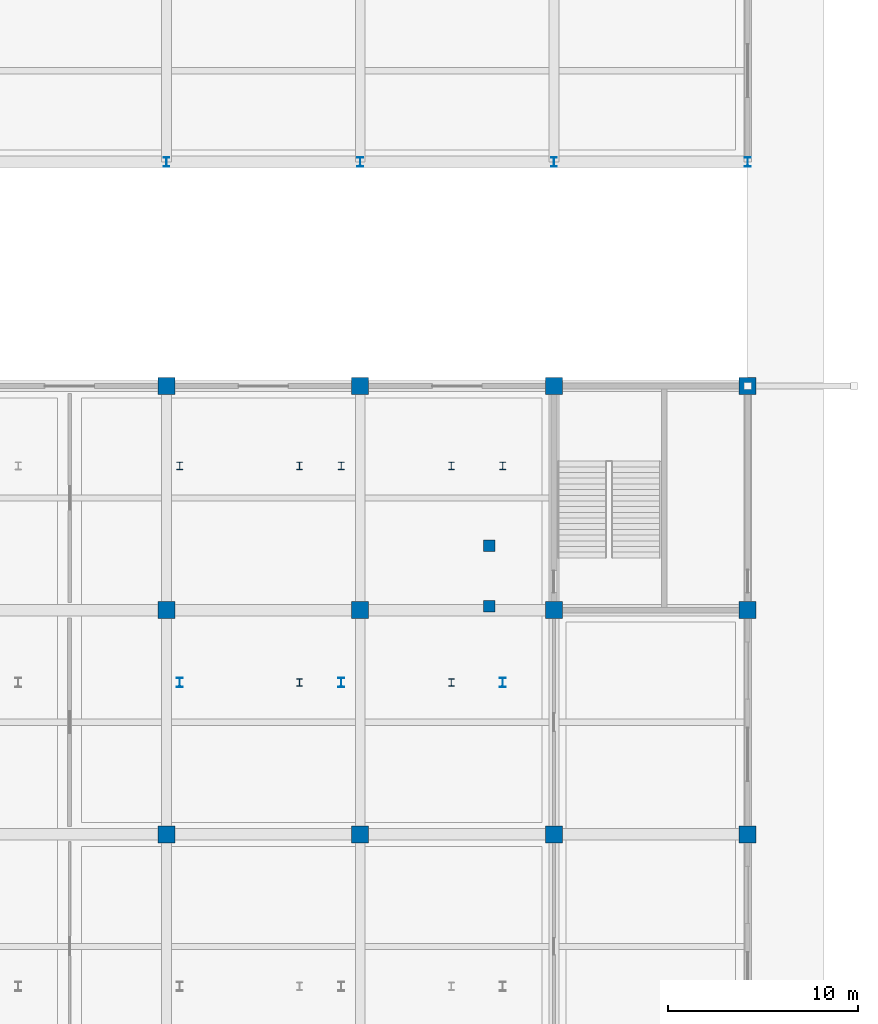
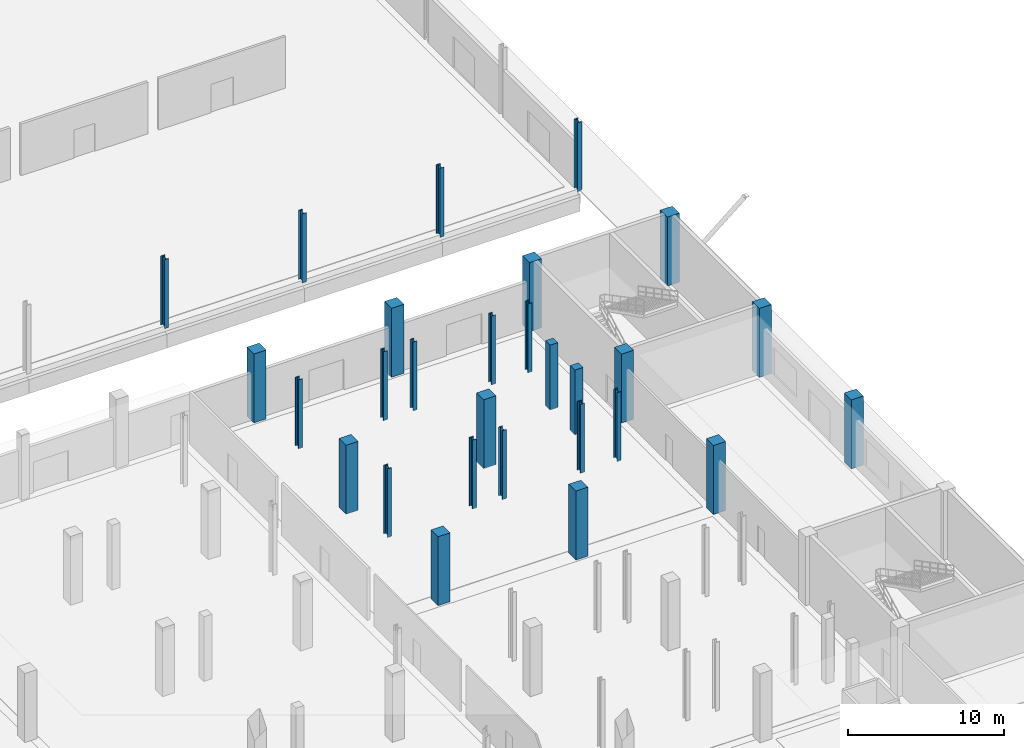
# One storey, part 18 of 124: 28 columns.
"""IFC4 building model written with IfcOpenShell, lengths in metres."""

import ifcopenshell
import ifcopenshell.guid

model = None  # the IFC model being written
_history = None  # IfcOwnerHistory: only IFC2X3 demands one
_inside = {}  # id of a spatial element -> (the spatial element, [elements in it])
_under = {}  # id of a project, library or spatial element -> (it, [spatial elements below it])
_declared = {}  # id of a project -> (the project, [libraries it declares])
_typed = {}  # id of a type object -> (the type object, [elements of that type])
_made_of = {}  # id of a material, layer set ... -> (it, [elements and type objects made of it])


def new_model(schema):
    """Start an empty IFC model of exactly this schema.

    Asked for "IFC4X3", IfcOpenShell would pick the latest addendum, in which some entities
    have other attributes; the version numbers below select the first issue.
    IFC2X3 requires an IfcOwnerHistory on every rooted entity: one is made here for all.
    """
    global model, _history
    if schema == "IFC4X3":
        model = ifcopenshell.file(schema_version=(4, 3, 0, 0))
    else:
        model = ifcopenshell.file(schema=schema)
    _inside.clear()
    _under.clear()
    _declared.clear()
    _typed.clear()
    _made_of.clear()
    _history = None
    if model.schema == "IFC2X3":
        org = make("IfcOrganization", Name="unknown")
        user = make(
            "IfcPersonAndOrganization",
            ThePerson=make("IfcPerson", FamilyName="unknown"),
            TheOrganization=org,
        )
        app = make(
            "IfcApplication",
            ApplicationDeveloper=org,
            Version="unknown",
            ApplicationFullName="unknown",
            ApplicationIdentifier="unknown",
        )
        _history = make(
            "IfcOwnerHistory",
            OwningUser=user,
            OwningApplication=app,
            ChangeAction="ADDED",
            CreationDate=0,
        )
    return model


def make(cls, **values):
    """One entity of the class cls with the attributes given. An attribute that is None is left unset."""
    return model.create_entity(
        cls, **{name: value for name, value in values.items() if value is not None}
    )


def rooted(cls, **values):
    """An entity with a GlobalId (a new one), such as an element, a storey or a relation."""
    return make(cls, GlobalId=ifcopenshell.guid.new(), OwnerHistory=_history, **values)


def si_unit(unit_type, name, prefix=None):
    """IfcSIUnit, for example si_unit("LENGTHUNIT", "METRE", prefix="MILLI")."""
    return make("IfcSIUnit", UnitType=unit_type, Prefix=prefix, Name=name)


def assignment(units):
    """IfcUnitAssignment: the units of a project."""
    return None if units is None else make("IfcUnitAssignment", Units=units)


def point(xyz):
    """IfcCartesianPoint."""
    return None if xyz is None else make("IfcCartesianPoint", Coordinates=xyz)


def direction(xyz):
    """IfcDirection."""
    return None if xyz is None else make("IfcDirection", DirectionRatios=xyz)


def frame(location, z_axis=None, x_axis=None):
    """IfcAxis2Placement3D, a coordinate frame: its origin and axes. An axis left out is left unset."""
    return make(
        "IfcAxis2Placement3D",
        Location=point(location),
        Axis=direction(z_axis),
        RefDirection=direction(x_axis),
    )


def frame_2d(location, x_axis=None):
    """IfcAxis2Placement2D, a coordinate frame in the plane: its origin and x axis."""
    return make(
        "IfcAxis2Placement2D", Location=point(location), RefDirection=direction(x_axis)
    )


def origin():
    """The frame at (0, 0, 0) with its axes left unset."""
    return frame((0.0, 0.0, 0.0))


def origin_2d():
    """The frame at (0, 0) in the plane with its x axis left unset."""
    return frame_2d((0.0, 0.0))


def place(relative_to, where):
    """IfcLocalPlacement: puts the frame where relative to a parent placement (None: the world)."""
    return make(
        "IfcLocalPlacement", PlacementRelTo=relative_to, RelativePlacement=where
    )


def context(
    kind, dimensions, precision=None, world=None, true_north=None, identifier=None
):
    """IfcGeometricRepresentationContext, for example the 3D "Model" context."""
    return make(
        "IfcGeometricRepresentationContext",
        ContextIdentifier=identifier,
        ContextType=kind,
        CoordinateSpaceDimension=dimensions,
        Precision=precision,
        WorldCoordinateSystem=world,
        TrueNorth=true_north,
    )


def subcontext(parent, identifier, kind, view, scale=None):
    """IfcGeometricRepresentationSubContext, for example "Body" below "Model"."""
    return make(
        "IfcGeometricRepresentationSubContext",
        ContextIdentifier=identifier,
        ContextType=kind,
        ParentContext=parent,
        TargetScale=scale,
        TargetView=view,
    )


def project(units=None, contexts=None):
    """IfcProject with its units and contexts."""
    return rooted(
        "IfcProject",
        Name="project",
        RepresentationContexts=contexts,
        UnitsInContext=assignment(units),
    )


def spatial(cls, under=None, at=None, **own):
    """A site, building, storey or space (cls), placed at a placement, below another one or the project."""
    s = rooted(cls, ObjectPlacement=at, **own)
    if under is not None:
        _under.setdefault(under.id(), (under, []))[1].append(s)
    return s


def profile(cls, at=None, kind="AREA", **sizes):
    """A parametric profile (cls). Its sizes go by their IFC names, for example OverallWidth=200.0."""
    return make(cls, ProfileType=kind, Position=at, **sizes)


def rectangle(**sizes):
    """IfcRectangleProfileDef."""
    return profile("IfcRectangleProfileDef", **sizes)


def i_section(**sizes):
    """IfcIShapeProfileDef."""
    return profile("IfcIShapeProfileDef", **sizes)


def extrude(swept, where, along, depth):
    """IfcExtrudedAreaSolid: the profile swept, set in the frame where, extruded along a direction by depth."""
    return make(
        "IfcExtrudedAreaSolid",
        SweptArea=swept,
        Position=where,
        ExtrudedDirection=direction(along),
        Depth=depth,
    )


def shape(context_of_items, identifier, shape_type, items):
    """IfcShapeRepresentation: the items that make up one representation, for example the "Body"."""
    return make(
        "IfcShapeRepresentation",
        ContextOfItems=context_of_items,
        RepresentationIdentifier=identifier,
        RepresentationType=shape_type,
        Items=items,
    )


def material(Name=None, Category=None):
    """IfcMaterial."""
    return make("IfcMaterial", Name=Name, Category=Category)


def material_profile(
    of_material, cross_section, Name=None, Category=None, Priority=None
):
    """IfcMaterialProfile: a cross section and its material."""
    return make(
        "IfcMaterialProfile",
        Name=Name,
        Material=of_material,
        Profile=cross_section,
        Priority=Priority,
        Category=Category,
    )


def profile_set(profiles, Name=None, composite=None):
    """IfcMaterialProfileSet."""
    return make(
        "IfcMaterialProfileSet",
        Name=Name,
        MaterialProfiles=profiles,
        CompositeProfile=composite,
    )


def made_of(thing, what):
    """Note that an element or type object is made of a material, layer set ...; save() writes the relation."""
    if what is not None:
        _made_of.setdefault(what.id(), (what, []))[1].append(thing)
    return thing


def type_object(cls, material=None, **own):
    """A type object (cls), such as IfcWallType, which elements share."""
    return made_of(rooted(cls, **own), material)


def element(
    cls,
    number,
    at=None,
    inside=None,
    cuts=None,
    type_object=None,
    material=None,
    context=None,
    identifier="Body",
    shape_type=None,
    held_by="IfcProductDefinitionShape",
    body=None,
    shapes=None,
    **own,
):
    """One element of the class cls, such as IfcWall. Its Tag is "e" and its number.

    at: its placement. inside: the storey or other place that contains it. cuts: it is an
    opening in that element (IfcRelVoidsElement). A single representation is given by context,
    identifier, shape_type and body (its items); several are given by shapes. held_by: the class
    of the entity that holds the representations. save() writes the other relations.
    """
    e = rooted(cls, Tag="e%d" % number, ObjectPlacement=at, **own)
    if body is not None:
        shapes = [shape(context, identifier, shape_type, body)]
    if shapes is not None:
        e.Representation = make(held_by, Representations=shapes)
    if inside is not None:
        _inside.setdefault(inside.id(), (inside, []))[1].append(e)
    if cuts is not None:
        rooted(
            "IfcRelVoidsElement", RelatingBuildingElement=cuts, RelatedOpeningElement=e
        )
    if type_object is not None:
        _typed.setdefault(type_object.id(), (type_object, []))[1].append(e)
    return made_of(e, material)


def aggregate(whole, parts):
    """IfcRelAggregates: a whole, such as a stair, and the parts it consists of."""
    return rooted("IfcRelAggregates", RelatingObject=whole, RelatedObjects=parts)


def save(model, path):
    """Write the relations noted so far, then the file.

    IfcRelAggregates (storeys below a building ...), IfcRelContainedInSpatialStructure (elements
    in a storey), IfcRelDefinesByType, IfcRelAssociatesMaterial and IfcRelDeclares: one each for
    every whole, place, type object, material and project.
    """
    for whole, parts in _under.values():
        aggregate(whole, parts)
    for where, things in _inside.values():
        rooted(
            "IfcRelContainedInSpatialStructure",
            RelatedElements=things,
            RelatingStructure=where,
        )
    for kind, things in _typed.values():
        rooted("IfcRelDefinesByType", RelatedObjects=things, RelatingType=kind)
    for what, things in _made_of.values():
        rooted("IfcRelAssociatesMaterial", RelatedObjects=things, RelatingMaterial=what)
    for by, libraries in _declared.values():
        rooted("IfcRelDeclares", RelatingContext=by, RelatedDefinitions=libraries)
    model.write(path)


model = new_model("IFC4")

# Units and contexts
model_context = context("Model", 3, precision=1e-05, world=origin(), true_north=direction((0.0, 1.0)))
body_context = subcontext(model_context, "Body", "Model", "MODEL_VIEW")
ifc_project = project(units=[si_unit("LENGTHUNIT", "METRE"), si_unit("AREAUNIT", "SQUARE_METRE"), si_unit("VOLUMEUNIT", "CUBIC_METRE"), si_unit("PLANEANGLEUNIT", "RADIAN"), si_unit("MASSUNIT", "GRAM", prefix="KILO")], contexts=[model_context])

# Site, building, storey
site_placement = place(None, origin())
site = spatial("IfcSite", under=ifc_project, at=site_placement, CompositionType="ELEMENT")
building_placement = place(site_placement, origin())
building = spatial("IfcBuilding", under=site, at=building_placement, Name="Brelvane Convention Centre", CompositionType="ELEMENT")
storey_placement = place(building_placement, origin())
storey = spatial("IfcBuildingStorey", under=building, at=storey_placement, Name="L00", CompositionType="ELEMENT", Elevation=0.0)

# Columns
ifc_material_1 = material(Name="Concrete M50", Category="concrete")
ifc_material_profile_1 = material_profile(ifc_material_1, rectangle(XDim=0.89990234375, YDim=0.89990234375, at=origin_2d()), Name="RC 900x900")
ifc_profile_set_1 = profile_set([ifc_material_profile_1], Name="Concrete M50")
column_type_1 = type_object("IfcColumnType", Name="RC Column C-RC2 (RC 900x900)", PredefinedType="COLUMN", material=ifc_profile_set_1)
for number, where, z_axis, x_axis, name in (
    (1, (193.800048828125, 64.199951171875, 0.0), (0.0, 0.0, 1.0), (1.0, 0.0, 0.0), "Column 20-G (L00)"),
    (2, (193.800048828125, 76.0, 0.0), (0.0, 0.0, 1.0), (1.0, 0.0, 0.0), "Column 20-H (L00)"),
    (3, (193.800048828125, 87.800048828125, 0.0), (0.0, 0.0, 1.0), (1.0, 0.0, 0.0), "Column 20-J (L00)"),
    (4, (204.0, 64.199951171875, 0.0), (0.0, 0.0, 1.0), (1.0, 0.0, 0.0), "Column 21-G (L00)"),
    (5, (204.0, 76.0, 0.0), (0.0, 0.0, 1.0), (1.0, 0.0, 0.0), "Column 21-H (L00)"),
    (6, (204.0, 87.800048828125, 0.0), (0.0, 0.0, 1.0), (1.0, 0.0, 0.0), "Column 21-J (L00)"),
    (7, (214.199951171875, 64.199951171875, 0.0), (0.0, 0.0, 1.0), (1.0, 0.0, 0.0), "Column 22-G (L00)"),
    (8, (214.199951171875, 76.0, 0.0), (0.0, 0.0, 1.0), (1.0, 0.0, 0.0), "Column 22-H (L00)"),
    (9, (214.199951171875, 87.800048828125, 0.0), (0.0, 0.0, 1.0), (1.0, 0.0, 0.0), "Column 22-J (L00)"),
    (10, (224.39990234375, 64.199951171875, 0.0), (0.0, 0.0, 1.0), (1.0, 0.0, 0.0), "Column 23-G (L00)"),
    (11, (224.39990234375, 76.0, 0.0), (0.0, 0.0, 1.0), (1.0, 0.0, 0.0), "Column 23-H (L00)"),
    (12, (224.39990234375, 87.800048828125, 0.0), (0.0, 0.0, 1.0), (1.0, 0.0, 0.0), "Column 23-J (L00)"),
):
    element("IfcColumn", number, at=place(storey_placement, frame(where, z_axis=z_axis, x_axis=x_axis)), inside=storey, type_object=column_type_1, Name=name, PredefinedType="COLUMN", context=body_context, shape_type="SweptSolid", body=[
        extrude(rectangle(XDim=0.89990234375, YDim=0.89990234375, at=origin_2d()), origin(), (0.0, 0.0, 1.0), 5.39990234375),
    ])
ifc_material_2 = material(Name="Concrete M50", Category="concrete")
ifc_material_profile_2 = material_profile(ifc_material_2, rectangle(XDim=0.60009765625, YDim=0.60009765625, at=origin_2d()), Name="RC 600x600")
ifc_profile_set_2 = profile_set([ifc_material_profile_2], Name="Concrete M50")
column_type_2 = type_object("IfcColumnType", Name="RC Column C-RC4 (RC 600x600)", PredefinedType="COLUMN", material=ifc_profile_set_2)
for number, where, z_axis, x_axis, name in (
    (13, (210.800048828125, 76.199951171875, 0.0), (0.0, 0.0, 1.0), (1.0, 0.0, 0.0), "Plenary Gallery L00 Column 3"),
    (14, (210.800048828125, 79.39990234375, 0.0), (0.0, 0.0, 1.0), (1.0, 0.0, 0.0), "Plenary Gallery L00 Column 4"),
):
    element("IfcColumn", number, at=place(storey_placement, frame(where, z_axis=z_axis, x_axis=x_axis)), inside=storey, type_object=column_type_2, Name=name, PredefinedType="COLUMN", context=body_context, shape_type="SweptSolid", body=[
        extrude(rectangle(XDim=0.60009765625, YDim=0.60009765625, at=origin_2d()), origin(), (0.0, 0.0, 1.0), 5.080078125),
    ])
ifc_material_3 = material(Name="Steel E350 (350 MPa)", Category="steel")
ifc_material_profile_3 = material_profile(ifc_material_3, i_section(OverallWidth=0.300048828125, OverallDepth=0.5, WebThickness=0.014404296875, FlangeThickness=0.028076171875, FilletRadius=0.027099609375, at=origin_2d()), Name="WPB 500x300")
ifc_profile_set_3 = profile_set([ifc_material_profile_3], Name="Steel E350 (350 MPa)")
column_type_3 = type_object("IfcColumnType", Name="Steel Column C-ST6 (WPB 500x300)", PredefinedType="COLUMN", material=ifc_profile_set_3)
for number, where, z_axis, x_axis, name in (
    (15, (193.800048828125, 99.60009765625, 0.0), (0.0, 0.0, 1.0), (1.0, 0.0, 0.0), "Column 20-K (L00)"),
    (16, (204.0, 99.60009765625, 0.0), (0.0, 0.0, 1.0), (1.0, 0.0, 0.0), "Column 21-K (L00)"),
    (17, (214.199951171875, 99.60009765625, 0.0), (0.0, 0.0, 1.0), (1.0, 0.0, 0.0), "Column 22-K (L00)"),
    (18, (224.39990234375, 99.60009765625, 0.0), (0.0, 0.0, 1.0), (1.0, 0.0, 0.0), "Column 23-K (L00)"),
    (19, (194.5, 72.199951171875, 0.0), (0.0, 0.0, 1.0), (1.0, 0.0, 0.0), "Plenary Bowl Tier Column L00 L2-Y72"),
    (20, (203.0, 72.199951171875, 0.0), (0.0, 0.0, 1.0), (1.0, 0.0, 0.0), "Plenary Bowl Tier Column L00 L3-Y72"),
    (21, (211.5, 72.199951171875, 0.0), (0.0, 0.0, 1.0), (1.0, 0.0, 0.0), "Plenary Bowl Tier Column L00 L4-Y72"),
):
    element("IfcColumn", number, at=place(storey_placement, frame(where, z_axis=z_axis, x_axis=x_axis)), inside=storey, type_object=column_type_3, Name=name, PredefinedType="COLUMN", context=body_context, shape_type="SweptSolid", body=[
        extrude(i_section(OverallWidth=0.300048828125, OverallDepth=0.5, WebThickness=0.014404296875, FlangeThickness=0.028076171875, FilletRadius=0.027099609375, at=origin_2d()), origin(), (0.0, 0.0, 1.0), 5.39990234375),
    ])
ifc_material_4 = material(Name="Steel E350 (350 MPa)", Category="steel")
ifc_material_profile_4 = material_profile(ifc_material_4, i_section(OverallWidth=0.300048828125, OverallDepth=0.39990234375, WebThickness=0.013427734375, FlangeThickness=0.02392578125, FilletRadius=0.027099609375, at=origin_2d()), Name="WPB 400x300")
ifc_profile_set_4 = profile_set([ifc_material_profile_4], Name="Steel E350 (350 MPa)")
column_type_4 = type_object("IfcColumnType", Name="Steel Column C-ST7 (WPB 400x300)", PredefinedType="COLUMN", material=ifc_profile_set_4)
for number, where, z_axis, x_axis, name in (
    (22, (194.5, 83.60009765625, 0.0), (0.0, 0.0, 1.0), (1.0, 0.0, 0.0), "Plenary Bowl Edge Column L00 L2-Y83"),
    (23, (203.0, 83.60009765625, 0.0), (0.0, 0.0, 1.0), (1.0, 0.0, 0.0), "Plenary Bowl Edge Column L00 L3-Y83"),
    (24, (211.5, 83.60009765625, 0.0), (0.0, 0.0, 1.0), (1.0, 0.0, 0.0), "Plenary Bowl Edge Column L00 L4-Y83"),
    (25, (200.800048828125, 72.199951171875, 0.0), (0.0, 0.0, 1.0), (1.0, 0.0, 0.0), "Plenary Balcony Tier Column L00 U1-Y72"),
    (26, (200.800048828125, 83.60009765625, 0.0), (0.0, 0.0, 1.0), (1.0, 0.0, 0.0), "Plenary Balcony Tier Column L00 U1-Y83"),
    (27, (208.800048828125, 72.199951171875, 0.0), (0.0, 0.0, 1.0), (1.0, 0.0, 0.0), "Plenary Balcony Tier Column L00 U2-Y72"),
    (28, (208.800048828125, 83.60009765625, 0.0), (0.0, 0.0, 1.0), (1.0, 0.0, 0.0), "Plenary Balcony Tier Column L00 U2-Y83"),
):
    element("IfcColumn", number, at=place(storey_placement, frame(where, z_axis=z_axis, x_axis=x_axis)), inside=storey, type_object=column_type_4, Name=name, PredefinedType="COLUMN", context=body_context, shape_type="SweptSolid", body=[
        extrude(i_section(OverallWidth=0.300048828125, OverallDepth=0.39990234375, WebThickness=0.013427734375, FlangeThickness=0.02392578125, FilletRadius=0.027099609375, at=origin_2d()), origin(), (0.0, 0.0, 1.0), 5.39990234375),
    ])

save(model, "model.ifc")
